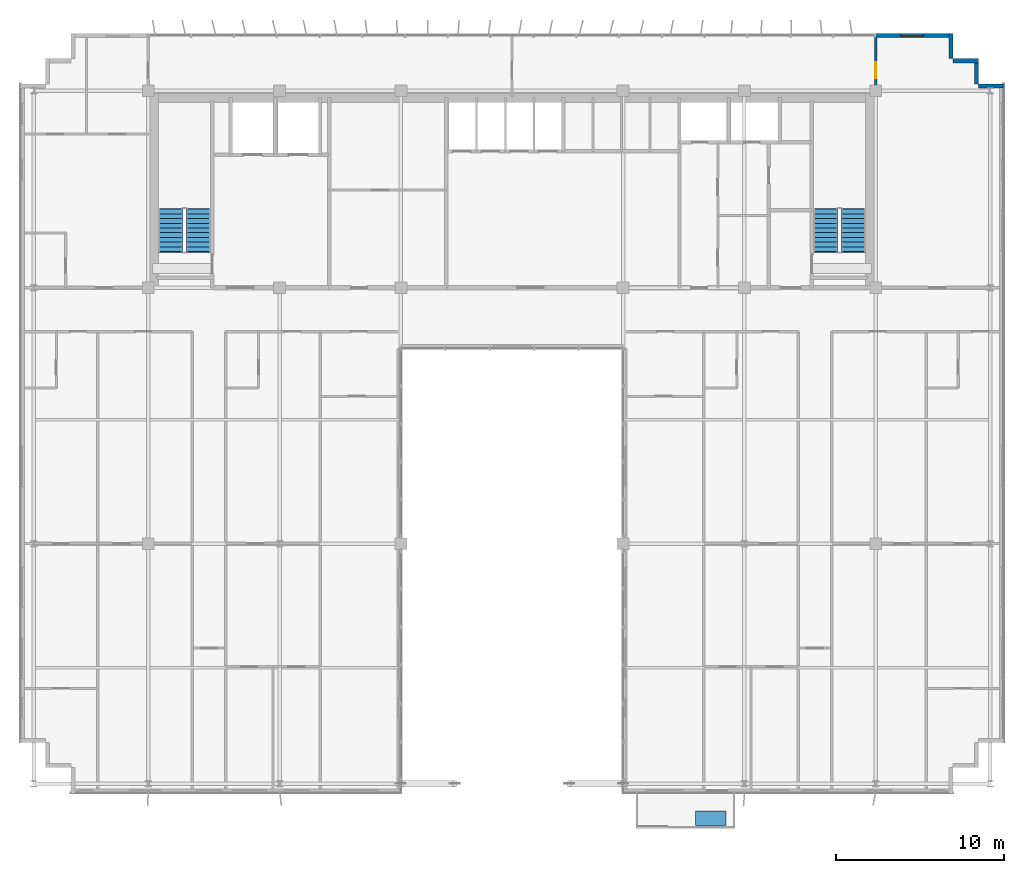
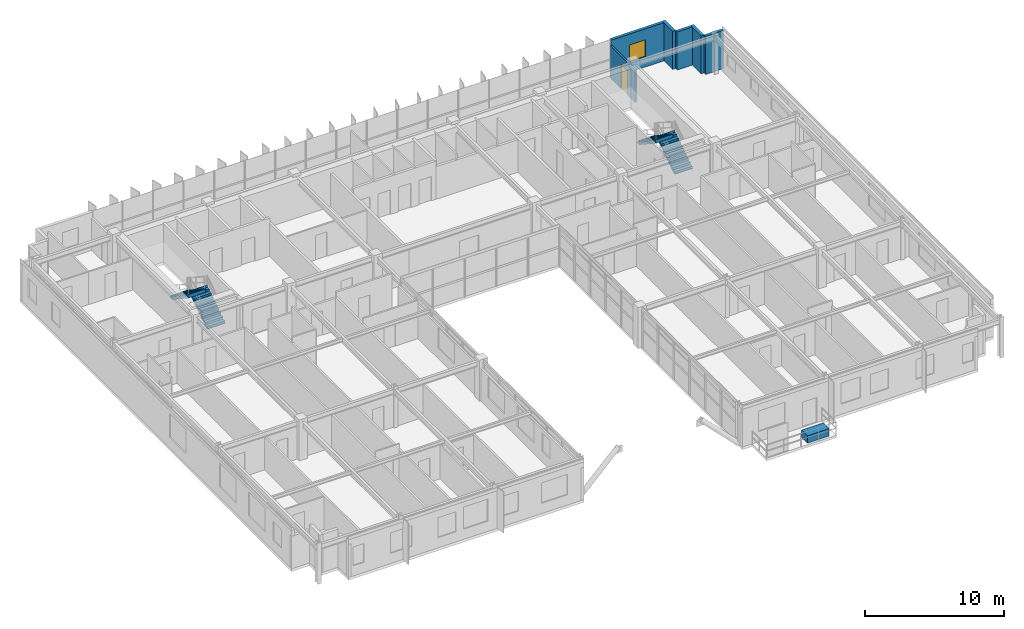
# One storey, part 32 of 34: 6 walls, 4 stair flights, 1 discrete accessory, 1 door, 1 window, 2 openings, 2 elements without a shape of their own.
"""IFC4 building model written with IfcOpenShell, lengths in metres."""

from ifc_helpers import new_model, si_unit, direction, frame, frame_2d, origin, origin_2d, place, context, subcontext, project, spatial, polyline, rectangle, outline, extrude, source, transform, mapped, material, layer, layer_set, type_object, element, fill, aggregate, save


model = new_model("IFC4")

# Units and contexts
model_context = context("Model", 3, precision=1e-05, world=origin(), true_north=direction((0.0, 1.0)))
body_context = subcontext(model_context, "Body", "Model", "MODEL_VIEW")
ifc_project = project(units=[si_unit("LENGTHUNIT", "METRE"), si_unit("AREAUNIT", "SQUARE_METRE"), si_unit("VOLUMEUNIT", "CUBIC_METRE"), si_unit("PLANEANGLEUNIT", "RADIAN"), si_unit("MASSUNIT", "GRAM", prefix="KILO")], contexts=[model_context])

# Site, building, storey
site_placement = place(None, origin())
site = spatial("IfcSite", under=ifc_project, at=site_placement, CompositionType="ELEMENT")
building_placement = place(site_placement, origin())
building = spatial("IfcBuilding", under=site, at=building_placement, Name="Trelvane Seafront Commons", CompositionType="ELEMENT")
storey_placement = place(building_placement, frame((0.0, 0.0, 197.699951171875)))
storey = spatial("IfcBuildingStorey", under=building, at=storey_placement, Name="L51", CompositionType="ELEMENT", Elevation=197.699951171875)

# Wall, opening, window
ifc_material_1 = material(Name="Precast concrete C40/50", Category="concrete")
ifc_layer_1 = layer(ifc_material_1, 0.239990234375, Name="ARCH-WALL-EXT240")
ifc_layer_set_1 = layer_set([ifc_layer_1], Name="Precast concrete C40/50")
wall_type_1 = type_object("IfcWallType", Name="ARCH-WALL-EXT240", PredefinedType="SOLIDWALL", material=ifc_layer_set_1)
wall_1_placement = place(storey_placement, frame((58.800048828125, 48.3701171875, 0.0), z_axis=(0.0, 0.0, 1.0), x_axis=(1.0, 0.0, 0.0)))
wall_1 = element("IfcWall", 1, at=wall_1_placement, inside=storey, type_object=wall_type_1, Name="EW-L51-NE-1008", PredefinedType="SOLIDWALL", context=body_context, shape_type="SweptSolid", body=[
    extrude(rectangle(XDim=4.5, YDim=0.239990234375, at=frame_2d((2.25, 0.0))), origin(), (0.0, 0.0, 1.0), 3.360107421875),
])
opening_1_placement = place(wall_1_placement, frame((1.48291015625, 0.0, 0.89990234375)))
opening_1 = element("IfcOpeningElement", 2, at=opening_1_placement, cuts=wall_1, Name="Opening W09", PredefinedType="OPENING", context=body_context, shape_type="SweptSolid", body=[
    extrude(rectangle(XDim=1.35009765625, YDim=1.5, at=frame_2d((0.675048828125, 0.75))), frame((0.0, 0.1298828125, 0.0), z_axis=(0.0, -1.0, 0.0), x_axis=(1.0, 0.0, 0.0)), (0.0, 0.0, 1.0), 0.260009765625),
])
ifc_material_2 = material(Name="Low-E coastal double glazing", Category="glass")
window_type = type_object("IfcWindowType", Name="ARCH-WIN-W09", PartitioningType="SINGLE_PANEL", PredefinedType="WINDOW", material=ifc_material_2)
shared_shape_1 = source(origin(), body_context, "Body", "SweptSolid", [
    extrude(rectangle(XDim=1.35009765625, YDim=1.5, at=frame_2d((0.675048828125, 0.75))), frame((0.0, 0.030029296875, 0.0), z_axis=(0.0, -1.0, 0.0), x_axis=(1.0, 0.0, 0.0)), (0.0, 0.0, 1.0), 0.06005859375),
])
window_placement = place(opening_1_placement, origin())
window = element("IfcWindow", 3, at=window_placement, inside=storey, type_object=window_type, Name="WIN-L51-01202", OverallHeight=1.5, OverallWidth=1.35009765625, PartitioningType="SINGLE_PANEL", PredefinedType="WINDOW", context=body_context, shape_type="MappedRepresentation", body=[
    mapped(shared_shape_1, transform((0.0, 0.0, 0.0), x_axis=(1.0, 0.0, 0.0), y_axis=(0.0, 1.0, 0.0), z_axis=(0.0, 0.0, 1.0), scale=1.0)),
])
fill(opening_1, window)

# Walls
for number, where, z_axis, x_axis, name in (
    (4, (63.280029296875, 48.5, 0.0), (0.0, 0.0, 1.0), (0.0, -1.0, 0.0), "EW-L51-01017"),
    (5, (63.39990234375, 46.8798828125, 0.0), (0.0, 0.0, 1.0), (1.0, 0.0, 0.0), "EW-L51-01018"),
    (6, (64.780029296875, 47.0, 0.0), (0.0, 0.0, 1.0), (0.0, -1.0, 0.0), "EW-L51-01019"),
    (7, (64.89990234375, 45.3798828125, 0.0), (0.0, 0.0, 1.0), (1.0, 0.0, 0.0), "EW-L51-01020"),
):
    element("IfcWall", number, at=place(storey_placement, frame(where, z_axis=z_axis, x_axis=x_axis)), inside=storey, type_object=wall_type_1, Name=name, PredefinedType="SOLIDWALL", context=body_context, shape_type="SweptSolid", body=[
        extrude(rectangle(XDim=1.5, YDim=0.239990234375, at=frame_2d((0.75, 0.0))), origin(), (0.0, 0.0, 1.0), 3.360107421875),
    ])

# Wall, opening, door
ifc_material_3 = material(Name="Gypsum Drywall Acoustic Partition")
ifc_layer_2 = layer(ifc_material_3, 0.14990234375, Name="ARCH-WALL-PART150")
ifc_layer_set_2 = layer_set([ifc_layer_2], Name="Gypsum Drywall Acoustic Partition")
wall_type_2 = type_object("IfcWallType", Name="ARCH-WALL-PART150", PredefinedType="PARTITIONING", material=ifc_layer_set_2)
wall_2_placement = place(storey_placement, frame((58.800048828125, 44.75, 0.0), z_axis=(0.0, 0.0, 1.0), x_axis=(0.0, 1.0, 0.0)))
wall_2 = element("IfcWall", 8, at=wall_2_placement, inside=storey, type_object=wall_type_2, Name="W-L51-N-LINK-E-045", PredefinedType="PARTITIONING", context=body_context, shape_type="SweptSolid", body=[
    extrude(rectangle(XDim=3.610107421875, YDim=0.14990234375, at=frame_2d((1.80517578125, 0.0))), origin(), (0.0, 0.0, 1.0), 2.860107421875),
])
opening_2_placement = place(wall_2_placement, frame((1.10009765625, 0.0, 0.0)))
opening_2 = element("IfcOpeningElement", 9, at=opening_2_placement, cuts=wall_2, Name="Opening FD-L51-27", PredefinedType="OPENING", context=body_context, shape_type="SweptSolid", body=[
    extrude(rectangle(XDim=0.949951171875, YDim=2.14990234375, at=frame_2d((0.47509765625, 1.074951171875))), frame((0.0, 0.0849609375, 0.0), z_axis=(0.0, -1.0, 0.0), x_axis=(1.0, 0.0, 0.0)), (0.0, 0.0, 1.0), 0.169921875),
])
ifc_material_4 = material(Name="Powder-coated aluminium frame", Category="aluminium")
door_type = type_object("IfcDoorType", Name="ARCH-DR-FD60-950", OperationType="NOTDEFINED", PredefinedType="DOOR", material=ifc_material_4)
shared_shape_2 = source(origin(), body_context, "Body", "SweptSolid", [
    extrude(rectangle(XDim=0.949951171875, YDim=2.14990234375, at=frame_2d((0.47509765625, 1.074951171875))), frame((0.0, 0.02490234375, 0.0), z_axis=(0.0, -1.0, 0.0), x_axis=(1.0, 0.0, 0.0)), (0.0, 0.0, 1.0), 0.050048828125),
])
door_placement = place(opening_2_placement, origin())
door = element("IfcDoor", 10, at=door_placement, inside=storey, type_object=door_type, Name="L51 Door 27", OperationType="SINGLE_SWING_LEFT", OverallHeight=2.14990234375, OverallWidth=0.949951171875, PredefinedType="DOOR", context=body_context, shape_type="MappedRepresentation", body=[
    mapped(shared_shape_2, transform((0.0, 0.0, 0.0), x_axis=(1.0, 0.0, 0.0), y_axis=(0.0, 1.0, 0.0), z_axis=(0.0, 0.0, 1.0), scale=1.0)),
])
fill(opening_2, door)

# Stair, stair flights
ifc_material_5 = material(Name="Concrete C40/50", Category="concrete")
stair_type_1 = type_object("IfcStairType", Name="ARCH-STR-ST-1-R20-180", PredefinedType="HALF_TURN_STAIR", material=ifc_material_5)
stair_1_placement = place(storey_placement, origin())
stair_1 = element("IfcStair", 11, at=stair_1_placement, inside=storey, type_object=stair_type_1, Name="L51 West Protected Firefighting Exit Stair ST-1", PredefinedType="HALF_TURN_STAIR")
stair_flight_type_1 = type_object("IfcStairFlightType", Name="ARCH-FLG-ST-1-R20-180", PredefinedType="STRAIGHT", material=ifc_material_5)
shared_shape_3 = source(origin(), body_context, "Body", "SweptSolid", [
    extrude(outline(polyline([(-0.050048828125, -0.02001953125), (-0.050048828125, 0.0), (0.0, 0.0), (0.0, 0.179931640625), (0.280029296875, 0.179931640625), (0.280029296875, 0.360107421875), (0.56005859375, 0.360107421875), (0.56005859375, 0.5400390625), (0.840087890625, 0.5400390625), (0.840087890625, 0.719970703125), (1.1201171875, 0.719970703125), (1.1201171875, 0.89990234375), (1.39990234375, 0.89990234375), (1.39990234375, 1.080078125), (1.679931640625, 1.080078125), (1.679931640625, 1.260009765625), (1.9599609375, 1.260009765625), (1.9599609375, 1.43994140625), (2.239990234375, 1.43994140625), (2.239990234375, 1.6201171875), (2.52001953125, 1.6201171875), (2.52001953125, 1.800048828125), (2.570068359375, 1.800048828125), (2.570068359375, 1.650146484375), (2.52001953125, 1.44189453125), (0.277099609375, -0.02001953125), (-0.050048828125, -0.02001953125)])), frame((0.0, 0.72509765625, 0.0), z_axis=(0.0, -1.0, 0.0), x_axis=(1.0, 0.0, 0.0)), (0.0, 0.0, 1.0), 1.449951171875),
])
stair_flight_1_placement = place(storey_placement, frame((18.574951171875, 35.550048828125, 0.0), z_axis=(0.0, 0.0, 1.0), x_axis=(0.0, 1.0, 0.0)))
stair_flight_1 = element("IfcStairFlight", 12, at=stair_flight_1_placement, type_object=stair_flight_type_1, Name="ST-1 flight 1", NumberOfRisers=10, NumberOfTreads=9, PredefinedType="STRAIGHT", RiserHeight=0.18, TreadLength=0.28, context=body_context, shape_type="MappedRepresentation", body=[
    mapped(shared_shape_3, transform((0.0, 0.0, 0.0), x_axis=(1.0, 0.0, 0.0), y_axis=(0.0, 1.0, 0.0), z_axis=(0.0, 0.0, 1.0), scale=1.0)),
])
stair_flight_2_placement = place(storey_placement, frame((16.925048828125, 38.070068359375, 1.800048828125), z_axis=(0.0, 0.0, 1.0), x_axis=(0.0, -1.0, 0.0)))
stair_flight_2 = element("IfcStairFlight", 13, at=stair_flight_2_placement, type_object=stair_flight_type_1, Name="ST-1 flight 2", NumberOfRisers=10, NumberOfTreads=9, PredefinedType="STRAIGHT", RiserHeight=0.18, TreadLength=0.28, context=body_context, shape_type="MappedRepresentation", body=[
    mapped(shared_shape_3, transform((0.0, 0.0, 0.0), x_axis=(1.0, 0.0, 0.0), y_axis=(0.0, 1.0, 0.0), z_axis=(0.0, 0.0, 1.0), scale=1.0)),
])
aggregate(stair_1, [stair_flight_1, stair_flight_2])

stair_type_2 = type_object("IfcStairType", Name="ARCH-STR-ST-2-R20-180", PredefinedType="HALF_TURN_STAIR", material=ifc_material_5)
stair_2_placement = place(storey_placement, origin())
stair_2 = element("IfcStair", 14, at=stair_2_placement, inside=storey, type_object=stair_type_2, Name="L51 East Protected Firefighting Exit Stair ST-2", PredefinedType="HALF_TURN_STAIR")
stair_flight_type_2 = type_object("IfcStairFlightType", Name="ARCH-FLG-ST-2-R20-180", PredefinedType="STRAIGHT", material=ifc_material_5)
stair_flight_3_placement = place(storey_placement, frame((57.47509765625, 35.550048828125, 0.0), z_axis=(0.0, 0.0, 1.0), x_axis=(0.0, 1.0, 0.0)))
stair_flight_3 = element("IfcStairFlight", 15, at=stair_flight_3_placement, type_object=stair_flight_type_2, Name="ST-2 flight 1", NumberOfRisers=10, NumberOfTreads=9, PredefinedType="STRAIGHT", RiserHeight=0.18, TreadLength=0.28, context=body_context, shape_type="MappedRepresentation", body=[
    mapped(shared_shape_3, transform((0.0, 0.0, 0.0), x_axis=(1.0, 0.0, 0.0), y_axis=(0.0, 1.0, 0.0), z_axis=(0.0, 0.0, 1.0), scale=1.0)),
])
stair_flight_4_placement = place(storey_placement, frame((55.824951171875, 38.070068359375, 1.800048828125), z_axis=(0.0, 0.0, 1.0), x_axis=(0.0, -1.0, 0.0)))
stair_flight_4 = element("IfcStairFlight", 16, at=stair_flight_4_placement, type_object=stair_flight_type_2, Name="ST-2 flight 2", NumberOfRisers=10, NumberOfTreads=9, PredefinedType="STRAIGHT", RiserHeight=0.18, TreadLength=0.28, context=body_context, shape_type="MappedRepresentation", body=[
    mapped(shared_shape_3, transform((0.0, 0.0, 0.0), x_axis=(1.0, 0.0, 0.0), y_axis=(0.0, 1.0, 0.0), z_axis=(0.0, 0.0, 1.0), scale=1.0)),
])
aggregate(stair_2, [stair_flight_3, stair_flight_4])

# Discrete accessory
discrete_accessory_type = type_object("IfcDiscreteAccessoryType", Name="ARCH-ACC-PLANTER", PredefinedType="USERDEFINED", material=ifc_material_1)
shared_shape_4 = source(origin(), body_context, "Body", "SweptSolid", [
    extrude(rectangle(XDim=1.800048828125, YDim=0.85009765625, at=origin_2d()), origin(), (0.0, 0.0, 1.0), 0.64990234375),
])
discrete_accessory_placement = place(storey_placement, frame((49.0, 1.89990234375, 0.0), z_axis=(0.0, 0.0, 1.0), x_axis=(1.0, 0.0, 0.0)))
element("IfcDiscreteAccessory", 17, at=discrete_accessory_placement, inside=storey, type_object=discrete_accessory_type, Name="PLN-L51-B0-056", ObjectType="BALCONY TREE PLANTER", PredefinedType="USERDEFINED", context=body_context, shape_type="MappedRepresentation", body=[
    mapped(shared_shape_4, transform((0.0, 0.0, 0.0), x_axis=(1.0, 0.0, 0.0), y_axis=(0.0, 1.0, 0.0), z_axis=(0.0, 0.0, 1.0), scale=1.0)),
])

save(model, "model.ifc")
